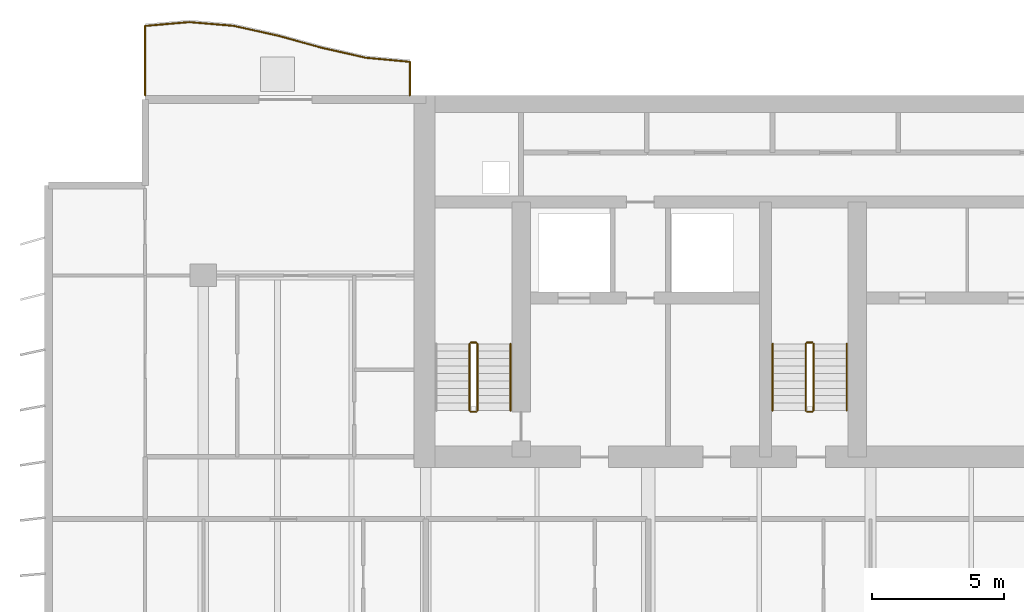
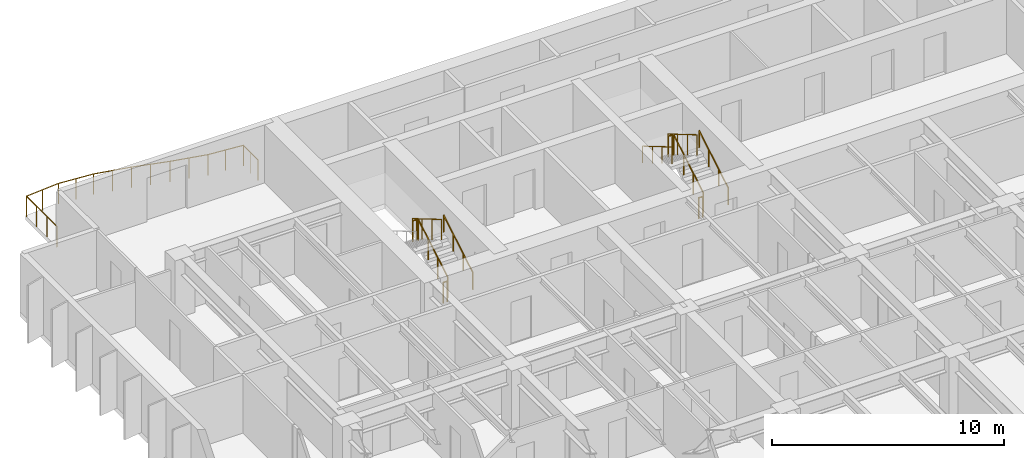
# One storey, part 15 of 17: 12 railings.
"""IFC4 building model written with IfcOpenShell, lengths in metres."""

from ifc_helpers import new_model, si_unit, direction, frame, origin, origin_2d, place, context, subcontext, project, spatial, circle, extrude, material, type_object, element, save


model = new_model("IFC4")

# Units and contexts
model_context = context("Model", 3, precision=1e-05, world=origin(), true_north=direction((0.0, 1.0)))
body_context = subcontext(model_context, "Body", "Model", "MODEL_VIEW")
ifc_project = project(units=[si_unit("LENGTHUNIT", "METRE"), si_unit("AREAUNIT", "SQUARE_METRE"), si_unit("VOLUMEUNIT", "CUBIC_METRE"), si_unit("PLANEANGLEUNIT", "RADIAN"), si_unit("MASSUNIT", "GRAM", prefix="KILO")], contexts=[model_context])

# Site, building, storey
site_placement = place(None, origin())
site = spatial("IfcSite", under=ifc_project, at=site_placement, CompositionType="ELEMENT")
building_placement = place(site_placement, origin())
building = spatial("IfcBuilding", under=site, at=building_placement, Name="Caelmar Bay Residences", CompositionType="ELEMENT")
storey_placement = place(building_placement, frame((0.0, 0.0, 105.89990234375)))
storey = spatial("IfcBuildingStorey", under=building, at=storey_placement, Name="L28", CompositionType="ELEMENT", Elevation=105.89990234375)

# Railings
ifc_material_1 = material(Name="Anodised bronze handrail with laminated hurricane glass infill", Category="glass")
railing_type_1 = type_object("IfcRailingType", Name="RL-BAL-1100", PredefinedType="BALUSTRADE", material=ifc_material_1)
railing_1_placement = place(storey_placement, frame((17.699951171875, 50.60009765625, 0.0)))
element("IfcRailing", 1, at=railing_1_placement, inside=storey, type_object=railing_type_1, Name="L28 north_west Balcony Balustrade", PredefinedType="BALUSTRADE", context=body_context, shape_type="SweptSolid", body=[
    extrude(circle(Radius=0.02392578125, at=origin_2d()), frame((0.0, 0.0, 1.076171875), z_axis=(0.0, 1.0, 0.0), x_axis=(-1.0, 0.0, 0.0)), (0.0, 0.0, 1.0), 1.270263671875),
    extrude(circle(Radius=0.02392578125, at=origin_2d()), frame((0.0, 1.270263671875, 1.076171875), z_axis=(-0.995755786783, 0.092034847145, 0.0), x_axis=(-0.092034847145, -0.995755786783, 0.0)), (0.0, 0.0, 1.0), 1.673828125),
    extrude(circle(Radius=0.02392578125, at=origin_2d()), frame((-1.666748046875, 1.42431640625, 1.076171875), z_axis=(-0.975205779848, 0.221299993112, 0.0), x_axis=(-0.221299993112, -0.975205779848, 0.0)), (0.0, 0.0, 1.0), 1.708984375),
    extrude(circle(Radius=0.02392578125, at=origin_2d()), frame((-3.333251953125, 1.802490234375, 1.076171875), z_axis=(-0.964003851304, 0.265888274792, 0.0), x_axis=(-0.265888274792, -0.964003851304, 0.0)), (0.0, 0.0, 1.0), 1.72900390625),
    extrude(circle(Radius=0.02392578125, at=origin_2d()), frame((-5.0, 2.26220703125, 1.076171875), z_axis=(-0.97637178472, 0.216097519659, 0.0), x_axis=(-0.216097519659, -0.97637178472, 0.0)), (0.0, 0.0, 1.0), 1.70703125),
    extrude(circle(Radius=0.02392578125, at=origin_2d()), frame((-6.666748046875, 2.631103515625, 1.076171875), z_axis=(-0.996543744264, 0.083069644079, 0.0), x_axis=(-0.083069644079, -0.996543744264, 0.0)), (0.0, 0.0, 1.0), 1.67236328125),
    extrude(circle(Radius=0.02392578125, at=origin_2d()), frame((-8.333251953125, 2.77001953125, 1.076171875), z_axis=(-0.996323906983, -0.085666051472, 0.0), x_axis=(0.085666051472, -0.996323906983, 0.0)), (0.0, 0.0, 1.0), 1.6728515625),
    extrude(circle(Radius=0.02392578125, at=origin_2d()), frame((-10.0, 2.626708984375, 1.076171875), z_axis=(0.0, -1.0, 0.0), x_axis=(1.0, 0.0, 0.0)), (0.0, 0.0, 1.0), 2.626708984375),
    extrude(circle(Radius=0.02099609375, at=origin_2d()), origin(), (0.0, 0.0, 1.0), 1.052001953125),
    extrude(circle(Radius=0.02099609375, at=origin_2d()), frame((0.0, 0.63525390625, 0.0)), (0.0, 0.0, 1.0), 1.052001953125),
    extrude(circle(Radius=0.02099609375, at=origin_2d()), frame((0.0, 1.270263671875, 0.0)), (0.0, 0.0, 1.0), 1.052001953125),
    extrude(circle(Radius=0.02099609375, at=origin_2d()), frame((-0.83349609375, 1.34716796875, 0.0)), (0.0, 0.0, 1.0), 1.052001953125),
    extrude(circle(Radius=0.02099609375, at=origin_2d()), frame((-1.666748046875, 1.42431640625, 0.0)), (0.0, 0.0, 1.0), 1.052001953125),
    extrude(circle(Radius=0.02099609375, at=origin_2d()), frame((-2.5, 1.61328125, 0.0)), (0.0, 0.0, 1.0), 1.052001953125),
    extrude(circle(Radius=0.02099609375, at=origin_2d()), frame((-3.333251953125, 1.802490234375, 0.0)), (0.0, 0.0, 1.0), 1.052001953125),
    extrude(circle(Radius=0.02099609375, at=origin_2d()), frame((-4.16650390625, 2.0322265625, 0.0)), (0.0, 0.0, 1.0), 1.052001953125),
    extrude(circle(Radius=0.02099609375, at=origin_2d()), frame((-5.0, 2.26220703125, 0.0)), (0.0, 0.0, 1.0), 1.052001953125),
    extrude(circle(Radius=0.02099609375, at=origin_2d()), frame((-5.83349609375, 2.44677734375, 0.0)), (0.0, 0.0, 1.0), 1.052001953125),
    extrude(circle(Radius=0.02099609375, at=origin_2d()), frame((-6.666748046875, 2.631103515625, 0.0)), (0.0, 0.0, 1.0), 1.052001953125),
    extrude(circle(Radius=0.02099609375, at=origin_2d()), frame((-7.5, 2.70068359375, 0.0)), (0.0, 0.0, 1.0), 1.052001953125),
    extrude(circle(Radius=0.02099609375, at=origin_2d()), frame((-8.333251953125, 2.77001953125, 0.0)), (0.0, 0.0, 1.0), 1.052001953125),
    extrude(circle(Radius=0.02099609375, at=origin_2d()), frame((-9.16650390625, 2.6982421875, 0.0)), (0.0, 0.0, 1.0), 1.052001953125),
    extrude(circle(Radius=0.02099609375, at=origin_2d()), frame((-10.0, 2.626708984375, 0.0)), (0.0, 0.0, 1.0), 1.052001953125),
    extrude(circle(Radius=0.02099609375, at=origin_2d()), frame((-10.0, 1.751220703125, 0.0)), (0.0, 0.0, 1.0), 1.052001953125),
    extrude(circle(Radius=0.02099609375, at=origin_2d()), frame((-10.0, 0.87548828125, 0.0)), (0.0, 0.0, 1.0), 1.052001953125),
    extrude(circle(Radius=0.02099609375, at=origin_2d()), frame((-10.0, 0.0, 0.0)), (0.0, 0.0, 1.0), 1.052001953125),
])
ifc_material_2 = material(Name="Painted galvanized steel stair guard 1100 mm", Category="steel")
railing_type_2 = type_object("IfcRailingType", Name="RL-GRD-1100", PredefinedType="GUARDRAIL", material=ifc_material_2)
railing_2_placement = place(storey_placement, frame((20.25, 38.699951171875, 0.1650390625)))
element("IfcRailing", 2, at=railing_2_placement, inside=storey, type_object=railing_type_2, Name="L28 ST1 stair guard 1", PredefinedType="GUARDRAIL", context=body_context, shape_type="SweptSolid", body=[
    extrude(circle(Radius=0.02392578125, at=origin_2d()), frame((0.0, 0.0, 1.076171875), z_axis=(0.0, 0.86152411907, 0.507716645641), x_axis=(-1.0, 0.0, 0.0)), (0.0, 0.0, 1.0), 2.925048828125),
    extrude(circle(Radius=0.02099609375, at=origin_2d()), origin(), (0.0, 0.0, 1.0), 1.052001953125),
    extrude(circle(Radius=0.02099609375, at=origin_2d()), frame((0.0, 0.840087890625, 0.4951171875)), (0.0, 0.0, 1.0), 1.052001953125),
    extrude(circle(Radius=0.02099609375, at=origin_2d()), frame((0.0, 1.679931640625, 0.989990234375)), (0.0, 0.0, 1.0), 1.052001953125),
    extrude(circle(Radius=0.02099609375, at=origin_2d()), frame((0.0, 2.52001953125, 1.485107421875)), (0.0, 0.0, 1.0), 1.052001953125),
])
railing_3_placement = place(storey_placement, frame((20.199951171875, 41.27001953125, 1.650146484375)))
element("IfcRailing", 3, at=railing_3_placement, inside=storey, type_object=railing_type_2, Name="L28 ST1 stair guard 2", PredefinedType="GUARDRAIL", context=body_context, shape_type="SweptSolid", body=[
    extrude(circle(Radius=0.02392578125, at=origin_2d()), frame((0.0, 0.0, 1.076171875), z_axis=(-1.0, 0.0, 0.0), x_axis=(0.0, -1.0, 0.0)), (0.0, 0.0, 1.0), 0.199951171875),
    extrude(circle(Radius=0.02099609375, at=origin_2d()), origin(), (0.0, 0.0, 1.0), 1.052001953125),
    extrude(circle(Radius=0.02099609375, at=origin_2d()), frame((-0.199951171875, 0.0, 0.0)), (0.0, 0.0, 1.0), 1.052001953125),
])
railing_4_placement = place(storey_placement, frame((19.949951171875, 41.219970703125, 1.815185546875)))
element("IfcRailing", 4, at=railing_4_placement, inside=storey, type_object=railing_type_2, Name="L28 ST1 stair guard 3", PredefinedType="GUARDRAIL", context=body_context, shape_type="SweptSolid", body=[
    extrude(circle(Radius=0.02392578125, at=origin_2d()), frame((0.0, 0.0, 1.076171875), z_axis=(0.0, -0.861560626758, 0.507654692109), x_axis=(1.0, 0.0, 0.0)), (0.0, 0.0, 1.0), 2.925048828125),
    extrude(circle(Radius=0.02099609375, at=origin_2d()), origin(), (0.0, 0.0, 1.0), 1.052001953125),
    extrude(circle(Radius=0.02099609375, at=origin_2d()), frame((0.0, -0.840087890625, 0.494873046875)), (0.0, 0.0, 1.0), 1.052001953125),
    extrude(circle(Radius=0.02099609375, at=origin_2d()), frame((0.0, -1.679931640625, 0.989990234375)), (0.0, 0.0, 1.0), 1.052001953125),
    extrude(circle(Radius=0.02099609375, at=origin_2d()), frame((0.0, -2.52001953125, 1.48486328125)), (0.0, 0.0, 1.0), 1.052001953125),
])
railing_5_placement = place(storey_placement, frame((20.199951171875, 38.64990234375, 0.0)))
element("IfcRailing", 5, at=railing_5_placement, inside=storey, type_object=railing_type_2, Name="L28 ST1 stair guard 4", PredefinedType="GUARDRAIL", context=body_context, shape_type="SweptSolid", body=[
    extrude(circle(Radius=0.02392578125, at=origin_2d()), frame((0.0, 0.0, 1.076171875), z_axis=(-1.0, 0.0, 0.0), x_axis=(0.0, -1.0, 0.0)), (0.0, 0.0, 1.0), 0.199951171875),
    extrude(circle(Radius=0.02099609375, at=origin_2d()), origin(), (0.0, 0.0, 1.0), 1.052001953125),
    extrude(circle(Radius=0.02099609375, at=origin_2d()), frame((-0.199951171875, 0.0, 0.0)), (0.0, 0.0, 1.0), 1.052001953125),
])
railing_6_placement = place(storey_placement, frame((32.949951171875, 38.699951171875, 0.1650390625)))
element("IfcRailing", 6, at=railing_6_placement, inside=storey, type_object=railing_type_2, Name="L28 ST3 stair guard 1", PredefinedType="GUARDRAIL", context=body_context, shape_type="SweptSolid", body=[
    extrude(circle(Radius=0.02392578125, at=origin_2d()), frame((0.0, 0.0, 1.076171875), z_axis=(0.0, 0.86152411907, 0.507716645641), x_axis=(-1.0, 0.0, 0.0)), (0.0, 0.0, 1.0), 2.925048828125),
    extrude(circle(Radius=0.02099609375, at=origin_2d()), origin(), (0.0, 0.0, 1.0), 1.052001953125),
    extrude(circle(Radius=0.02099609375, at=origin_2d()), frame((0.0, 0.840087890625, 0.4951171875)), (0.0, 0.0, 1.0), 1.052001953125),
    extrude(circle(Radius=0.02099609375, at=origin_2d()), frame((0.0, 1.679931640625, 0.989990234375)), (0.0, 0.0, 1.0), 1.052001953125),
    extrude(circle(Radius=0.02099609375, at=origin_2d()), frame((0.0, 2.52001953125, 1.485107421875)), (0.0, 0.0, 1.0), 1.052001953125),
])
railing_7_placement = place(storey_placement, frame((32.89990234375, 41.27001953125, 1.650146484375)))
element("IfcRailing", 7, at=railing_7_placement, inside=storey, type_object=railing_type_2, Name="L28 ST3 stair guard 2", PredefinedType="GUARDRAIL", context=body_context, shape_type="SweptSolid", body=[
    extrude(circle(Radius=0.02392578125, at=origin_2d()), frame((0.0, 0.0, 1.076171875), z_axis=(-1.0, 0.0, 0.0), x_axis=(0.0, -1.0, 0.0)), (0.0, 0.0, 1.0), 0.199951171875),
    extrude(circle(Radius=0.02099609375, at=origin_2d()), origin(), (0.0, 0.0, 1.0), 1.052001953125),
    extrude(circle(Radius=0.02099609375, at=origin_2d()), frame((-0.199951171875, 0.0, 0.0)), (0.0, 0.0, 1.0), 1.052001953125),
])
railing_8_placement = place(storey_placement, frame((32.64990234375, 41.219970703125, 1.815185546875)))
element("IfcRailing", 8, at=railing_8_placement, inside=storey, type_object=railing_type_2, Name="L28 ST3 stair guard 3", PredefinedType="GUARDRAIL", context=body_context, shape_type="SweptSolid", body=[
    extrude(circle(Radius=0.02392578125, at=origin_2d()), frame((0.0, 0.0, 1.076171875), z_axis=(0.0, -0.861560626758, 0.507654692109), x_axis=(1.0, 0.0, 0.0)), (0.0, 0.0, 1.0), 2.925048828125),
    extrude(circle(Radius=0.02099609375, at=origin_2d()), origin(), (0.0, 0.0, 1.0), 1.052001953125),
    extrude(circle(Radius=0.02099609375, at=origin_2d()), frame((0.0, -0.840087890625, 0.494873046875)), (0.0, 0.0, 1.0), 1.052001953125),
    extrude(circle(Radius=0.02099609375, at=origin_2d()), frame((0.0, -1.679931640625, 0.989990234375)), (0.0, 0.0, 1.0), 1.052001953125),
    extrude(circle(Radius=0.02099609375, at=origin_2d()), frame((0.0, -2.52001953125, 1.48486328125)), (0.0, 0.0, 1.0), 1.052001953125),
])
railing_9_placement = place(storey_placement, frame((32.89990234375, 38.64990234375, 0.0)))
element("IfcRailing", 9, at=railing_9_placement, inside=storey, type_object=railing_type_2, Name="L28 ST3 stair guard 4", PredefinedType="GUARDRAIL", context=body_context, shape_type="SweptSolid", body=[
    extrude(circle(Radius=0.02392578125, at=origin_2d()), frame((0.0, 0.0, 1.076171875), z_axis=(-1.0, 0.0, 0.0), x_axis=(0.0, -1.0, 0.0)), (0.0, 0.0, 1.0), 0.199951171875),
    extrude(circle(Radius=0.02099609375, at=origin_2d()), origin(), (0.0, 0.0, 1.0), 1.052001953125),
    extrude(circle(Radius=0.02099609375, at=origin_2d()), frame((-0.199951171875, 0.0, 0.0)), (0.0, 0.0, 1.0), 1.052001953125),
])
ifc_material_3 = material(Name="Brushed bronze stainless-steel tubular handrail 900 mm", Category="steel")
railing_type_3 = type_object("IfcRailingType", Name="RL-HND-900", PredefinedType="HANDRAIL", material=ifc_material_3)
for number, where, name in (
    (10, (21.5, 38.699951171875, 0.1650390625), "L28 ST1 stair handrail 1"),
    (11, (34.199951171875, 38.699951171875, 0.1650390625), "L28 ST3 stair handrail 1"),
):
    element("IfcRailing", number, at=place(storey_placement, frame(where)), inside=storey, type_object=railing_type_3, Name=name, PredefinedType="HANDRAIL", context=body_context, shape_type="SweptSolid", body=[
        extrude(circle(Radius=0.02392578125, at=origin_2d()), frame((0.0, 0.0, 0.8759765625), z_axis=(0.0, 0.86152411907, 0.507716645641), x_axis=(-1.0, 0.0, 0.0)), (0.0, 0.0, 1.0), 2.925048828125),
        extrude(circle(Radius=0.02099609375, at=origin_2d()), origin(), (0.0, 0.0, 1.0), 0.851806640625),
        extrude(circle(Radius=0.02099609375, at=origin_2d()), frame((0.0, 0.840087890625, 0.4951171875)), (0.0, 0.0, 1.0), 0.851806640625),
        extrude(circle(Radius=0.02099609375, at=origin_2d()), frame((0.0, 1.679931640625, 0.989990234375)), (0.0, 0.0, 1.0), 0.851806640625),
        extrude(circle(Radius=0.02099609375, at=origin_2d()), frame((0.0, 2.52001953125, 1.485107421875)), (0.0, 0.0, 1.0), 0.851806640625),
    ])
railing_10_placement = place(storey_placement, frame((31.39990234375, 41.219970703125, 1.815185546875)))
element("IfcRailing", 12, at=railing_10_placement, inside=storey, type_object=railing_type_3, Name="L28 ST3 stair handrail 2", PredefinedType="HANDRAIL", context=body_context, shape_type="SweptSolid", body=[
    extrude(circle(Radius=0.02392578125, at=origin_2d()), frame((0.0, 0.0, 0.8759765625), z_axis=(0.0, -0.861560626758, 0.507654692109), x_axis=(1.0, 0.0, 0.0)), (0.0, 0.0, 1.0), 2.925048828125),
    extrude(circle(Radius=0.02099609375, at=origin_2d()), origin(), (0.0, 0.0, 1.0), 0.851806640625),
    extrude(circle(Radius=0.02099609375, at=origin_2d()), frame((0.0, -0.840087890625, 0.494873046875)), (0.0, 0.0, 1.0), 0.851806640625),
    extrude(circle(Radius=0.02099609375, at=origin_2d()), frame((0.0, -1.679931640625, 0.989990234375)), (0.0, 0.0, 1.0), 0.851806640625),
    extrude(circle(Radius=0.02099609375, at=origin_2d()), frame((0.0, -2.52001953125, 1.48486328125)), (0.0, 0.0, 1.0), 0.851806640625),
])

save(model, "model.ifc")
